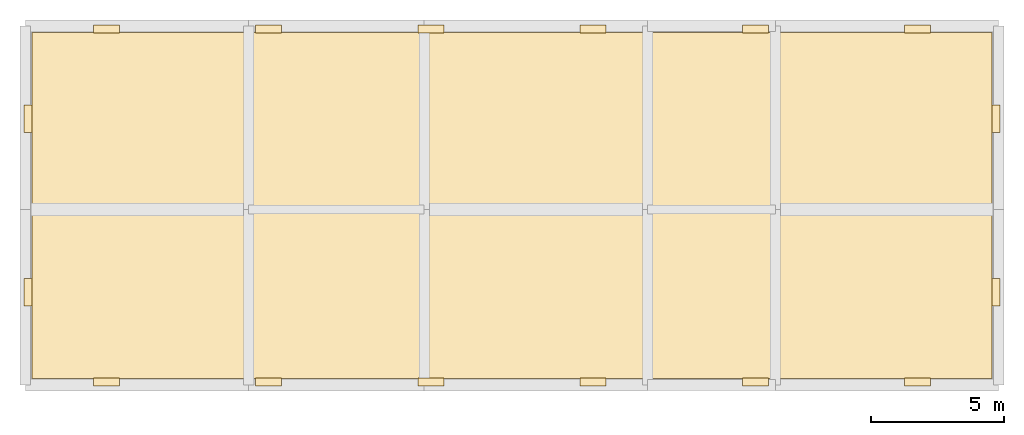
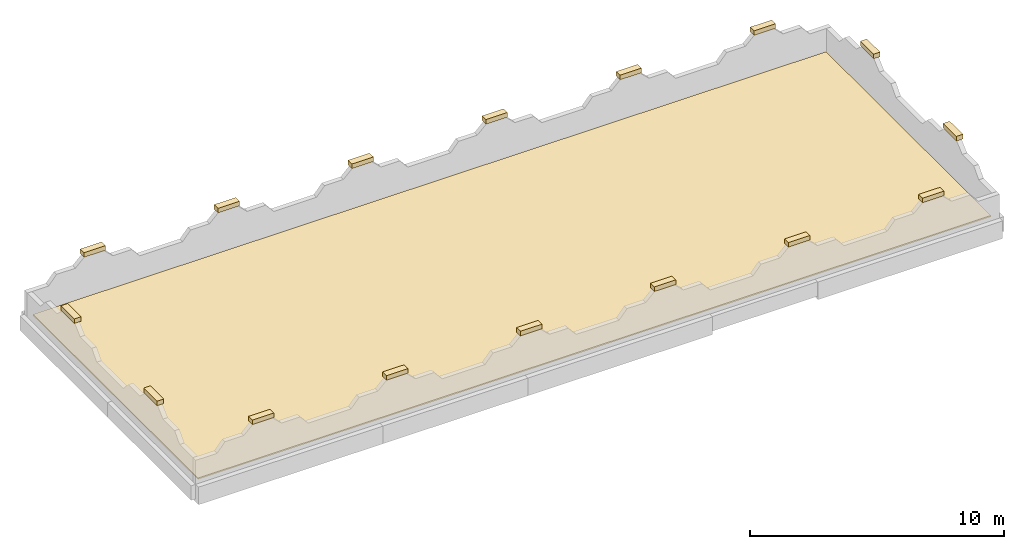
# One storey, part 2 of 2: 17 coverings.
"""IFC4 building model written with IfcOpenShell, lengths in metres."""

from ifc_helpers import new_model, si_unit, direction, frame, origin, origin_2d, place, context, subcontext, project, spatial, polyline, rectangle, outline, extrude, material, layer, layer_set, type_object, element, save


model = new_model("IFC4")

# Units and contexts
model_context = context("Model", 3, precision=1e-05, world=origin(), true_north=direction((0.0, 1.0)))
body_context = subcontext(model_context, "Body", "Model", "MODEL_VIEW")
ifc_project = project(units=[si_unit("LENGTHUNIT", "METRE"), si_unit("AREAUNIT", "SQUARE_METRE"), si_unit("VOLUMEUNIT", "CUBIC_METRE"), si_unit("PLANEANGLEUNIT", "RADIAN"), si_unit("MASSUNIT", "GRAM", prefix="KILO")], contexts=[model_context])

# Site, building, storey
site_placement = place(None, origin())
site = spatial("IfcSite", under=ifc_project, at=site_placement, CompositionType="ELEMENT")
building_placement = place(site_placement, origin())
building = spatial("IfcBuilding", under=site, at=building_placement, Name="Dornvale Research Institute", CompositionType="ELEMENT")
storey_placement = place(building_placement, frame((0.0, 0.0, 51.0)))
storey = spatial("IfcBuildingStorey", under=building, at=storey_placement, Name="Roof", CompositionType="ELEMENT", Elevation=51.0)

# Coverings
ifc_material_1 = material(Name="TPO High-Reflectance Cool Roof Membrane and Rigid Insulation")
ifc_layer_1 = layer(ifc_material_1, 0.06005859375)
ifc_layer_set_1 = layer_set([ifc_layer_1], Name="TPO High-Reflectance Cool Roof Membrane and Rigid Insulation")
covering_type_1 = type_object("IfcCoveringType", Name="Covering_CoolRoof_Membrane", PredefinedType="ROOFING", material=ifc_layer_set_1)
covering_placement = place(storey_placement, origin())
element("IfcCovering", 1, at=covering_placement, inside=storey, type_object=covering_type_1, Name="Roof V5-TOP cool roof membrane", PredefinedType="ROOFING", context=body_context, shape_type="SweptSolid", body=[
    extrude(outline(polyline([(5.050048828125, 104.050048828125), (41.14990234375, 104.050048828125), (41.14990234375, 117.050048828125), (5.050048828125, 117.050048828125), (5.050048828125, 104.050048828125)])), origin(), (0.0, 0.0, 1.0), 0.06005859375),
])
ifc_material_2 = material(Name="Polychrome Trencadis Glazed Ceramic Mosaic Coping")
ifc_layer_2 = layer(ifc_material_2, 0.300048828125)
ifc_layer_set_2 = layer_set([ifc_layer_2], Name="Polychrome Trencadis Glazed Ceramic Mosaic Coping")
covering_type_2 = type_object("IfcCoveringType", Name="Covering_Trencadis_Crown", PredefinedType="CLADDING", material=ifc_layer_set_2)
for number, where, z_axis, x_axis, name in (
    (2, (7.85009765625, 103.909912109375, 2.0), (0.0, 0.0, 1.0), (1.0, 0.0, 0.0), "Roof V5-TOP polychrome trencadis crown coping S-1"),
    (3, (13.949951171875, 103.909912109375, 2.0), (0.0, 0.0, 1.0), (1.0, 0.0, 0.0), "Roof V5-TOP polychrome trencadis crown coping S-2"),
    (4, (20.050048828125, 103.909912109375, 2.0), (0.0, 0.0, 1.0), (1.0, 0.0, 0.0), "Roof V5-TOP polychrome trencadis crown coping S-3"),
    (5, (26.14990234375, 103.909912109375, 2.0), (0.0, 0.0, 1.0), (1.0, 0.0, 0.0), "Roof V5-TOP polychrome trencadis crown coping S-4"),
    (6, (32.25, 103.909912109375, 2.0), (0.0, 0.0, 1.0), (1.0, 0.0, 0.0), "Roof V5-TOP polychrome trencadis crown coping S-5"),
    (7, (38.35009765625, 103.909912109375, 2.0), (0.0, 0.0, 1.0), (1.0, 0.0, 0.0), "Roof V5-TOP polychrome trencadis crown coping S-6"),
    (8, (7.85009765625, 117.18994140625, 2.0), (0.0, 0.0, 1.0), (1.0, 0.0, 0.0), "Roof V5-TOP polychrome trencadis crown coping N-1"),
    (9, (13.949951171875, 117.18994140625, 2.0), (0.0, 0.0, 1.0), (1.0, 0.0, 0.0), "Roof V5-TOP polychrome trencadis crown coping N-2"),
    (10, (20.050048828125, 117.18994140625, 2.0), (0.0, 0.0, 1.0), (1.0, 0.0, 0.0), "Roof V5-TOP polychrome trencadis crown coping N-3"),
    (11, (26.14990234375, 117.18994140625, 2.0), (0.0, 0.0, 1.0), (1.0, 0.0, 0.0), "Roof V5-TOP polychrome trencadis crown coping N-4"),
    (12, (32.25, 117.18994140625, 2.0), (0.0, 0.0, 1.0), (1.0, 0.0, 0.0), "Roof V5-TOP polychrome trencadis crown coping N-5"),
    (13, (38.35009765625, 117.18994140625, 2.0), (0.0, 0.0, 1.0), (1.0, 0.0, 0.0), "Roof V5-TOP polychrome trencadis crown coping N-6"),
):
    element("IfcCovering", number, at=place(storey_placement, frame(where, z_axis=z_axis, x_axis=x_axis)), inside=storey, type_object=covering_type_2, Name=name, PredefinedType="CLADDING", context=body_context, shape_type="SweptSolid", body=[
        extrude(rectangle(XDim=0.97607421875, YDim=0.300048828125, at=origin_2d()), origin(), (0.0, 0.0, 1.0), 0.219970703125),
    ])
for number, where, z_axis, x_axis, name in (
    (14, (4.909912109375, 107.284912109375, 2.0), (0.0, 0.0, 1.0), (0.0, 1.0, 0.0), "Roof V5-TOP polychrome trencadis crown coping W-1"),
    (15, (4.909912109375, 113.81494140625, 2.0), (0.0, 0.0, 1.0), (0.0, 1.0, 0.0), "Roof V5-TOP polychrome trencadis crown coping W-2"),
    (16, (41.2900390625, 107.284912109375, 2.0), (0.0, 0.0, 1.0), (0.0, 1.0, 0.0), "Roof V5-TOP polychrome trencadis crown coping E-1"),
    (17, (41.2900390625, 113.81494140625, 2.0), (0.0, 0.0, 1.0), (0.0, 1.0, 0.0), "Roof V5-TOP polychrome trencadis crown coping E-2"),
):
    element("IfcCovering", number, at=place(storey_placement, frame(where, z_axis=z_axis, x_axis=x_axis)), inside=storey, type_object=covering_type_2, Name=name, PredefinedType="CLADDING", context=body_context, shape_type="SweptSolid", body=[
        extrude(rectangle(XDim=1.044921875, YDim=0.300048828125, at=origin_2d()), origin(), (0.0, 0.0, 1.0), 0.219970703125),
    ])

save(model, "model.ifc")
